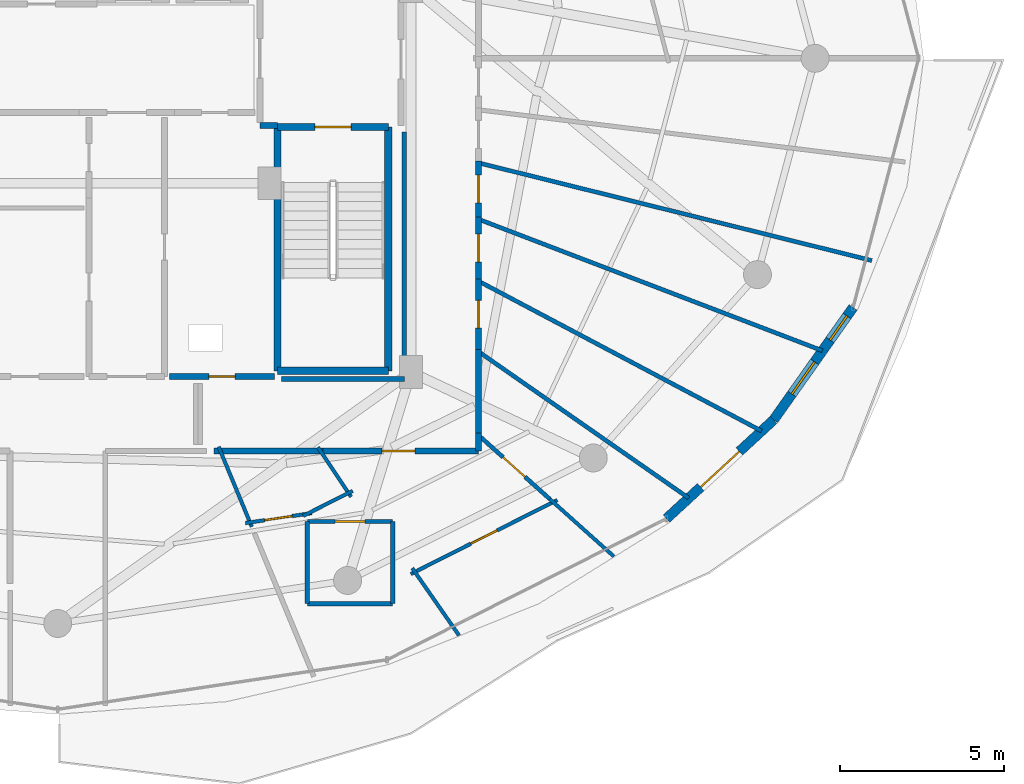
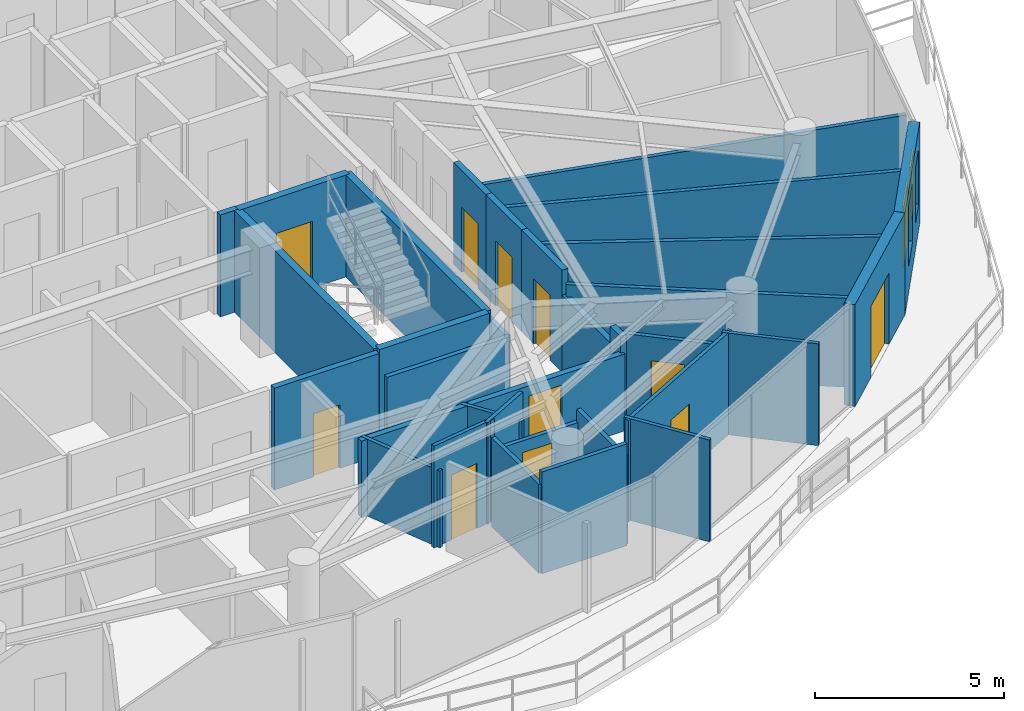
# One storey, part 24 of 30: 33 walls, 11 doors, 2 windows, 13 openings.
"""IFC4 building model written with IfcOpenShell, lengths in metres."""

from ifc_helpers import new_model, si_unit, direction, frame, frame_2d, origin, place, context, subcontext, project, spatial, rectangle, extrude, material, layer, layer_set, type_object, element, fill, save


model = new_model("IFC4")

# Units and contexts
model_context = context("Model", 3, precision=1e-05, world=origin(), true_north=direction((0.0, 1.0)))
body_context = subcontext(model_context, "Body", "Model", "MODEL_VIEW")
ifc_project = project(units=[si_unit("LENGTHUNIT", "METRE"), si_unit("AREAUNIT", "SQUARE_METRE"), si_unit("VOLUMEUNIT", "CUBIC_METRE"), si_unit("PLANEANGLEUNIT", "RADIAN"), si_unit("MASSUNIT", "GRAM", prefix="KILO")], contexts=[model_context])

# Site, building, storey
site_placement = place(None, origin())
site = spatial("IfcSite", under=ifc_project, at=site_placement, CompositionType="ELEMENT")
building_placement = place(site_placement, origin())
building = spatial("IfcBuilding", under=site, at=building_placement, Name="Vorneva Point Tower", CompositionType="ELEMENT")
storey_placement = place(building_placement, frame((0.0, 0.0, 262.64990234375)))
storey = spatial("IfcBuildingStorey", under=building, at=storey_placement, Name="L71", CompositionType="ELEMENT", Elevation=262.64990234375)

# Wall, opening, door
ifc_material_1 = material(Name="Precast concrete B50 (C40/50)", Category="concrete")
ifc_layer_1 = layer(ifc_material_1, 0.300048828125)
ifc_layer_set_1 = layer_set([ifc_layer_1], Name="Precast concrete B50 (C40/50)")
wall_type_1 = type_object("IfcWallType", Name="WL-EXT-300", PredefinedType="STANDARD", material=ifc_layer_set_1)
wall_1_placement = place(storey_placement, frame((56.526123046875, 11.9921875, 0.0), z_axis=(0.0, 0.0, 1.0), x_axis=(0.735445373611, 0.677584018727, 0.0)))
wall_1 = element("IfcWall", 1, at=wall_1_placement, inside=storey, type_object=wall_type_1, Name="L71 Pale-Metal Facade Spandrel Wall 15.1", PredefinedType="STANDARD", context=body_context, shape_type="SweptSolid", body=[
    extrude(rectangle(XDim=4.430419921875, YDim=0.300048828125, at=frame_2d((2.21533203125, 0.0))), origin(), (0.0, 0.0, 1.0), 3.2900390625),
])
opening_1_placement = place(wall_1_placement, frame((1.415283203125, 0.0, 0.0)))
opening_1 = element("IfcOpeningElement", 2, at=opening_1_placement, cuts=wall_1, Name="Opening BD-01", PredefinedType="OPENING", context=body_context, shape_type="SweptSolid", body=[
    extrude(rectangle(XDim=1.60009765625, YDim=2.300048828125, at=frame_2d((0.800048828125, 1.14990234375))), frame((0.0, 0.1650390625, 0.0), z_axis=(0.0, -1.0, 0.0), x_axis=(1.0, 0.0, 0.0)), (0.0, 0.0, 1.0), 0.329833984375),
])
ifc_material_2 = material(Name="Pale anodised aluminium", Category="aluminium")
door_type_1 = type_object("IfcDoorType", Name="DR-BAL-1600", OperationType="SLIDING_TO_LEFT", PredefinedType="DOOR", material=ifc_material_2)
door_1_placement = place(opening_1_placement, origin())
door_1 = element("IfcDoor", 3, at=door_1_placement, inside=storey, type_object=door_type_1, Name="L71 Balcony Terrace Access Door 15", OperationType="SLIDING_TO_LEFT", OverallHeight=2.300048828125, OverallWidth=1.60009765625, PredefinedType="DOOR", context=body_context, shape_type="SweptSolid", body=[
    extrude(rectangle(XDim=1.60009765625, YDim=2.300048828125, at=frame_2d((0.800048828125, 1.14990234375))), frame((0.0, 0.02490234375, 0.0), z_axis=(0.0, -1.0, 0.0), x_axis=(1.0, 0.0, 0.0)), (0.0, 0.0, 1.0), 0.050048828125),
])
fill(opening_1, door_1)

# Wall, openings, windows
wall_2_placement = place(storey_placement, frame((59.784423828125, 14.994140625, 0.0), z_axis=(0.0, 0.0, 1.0), x_axis=(0.577261247247, 0.816559521668, 0.0)))
wall_2 = element("IfcWall", 4, at=wall_2_placement, inside=storey, type_object=wall_type_1, Name="L71 Pale-Metal Facade Spandrel Wall 15.2", PredefinedType="STANDARD", context=body_context, shape_type="SweptSolid", body=[
    extrude(rectangle(XDim=4.194091796875, YDim=0.300048828125, at=frame_2d((2.09716796875, 0.0))), origin(), (0.0, 0.0, 1.0), 3.2900390625),
])
opening_2_placement = place(wall_2_placement, frame((0.966064453125, 0.0, 0.85009765625)))
opening_2 = element("IfcOpeningElement", 5, at=opening_2_placement, cuts=wall_2, Name="Opening W-04", PredefinedType="OPENING", context=body_context, shape_type="SweptSolid", body=[
    extrude(rectangle(XDim=1.199951171875, YDim=1.949951171875, at=frame_2d((0.60009765625, 0.97509765625))), frame((0.0, 0.1650390625, 0.0), z_axis=(0.0, -1.0, 0.0), x_axis=(1.0, 0.0, 0.0)), (0.0, 0.0, 1.0), 0.329833984375),
])
opening_3_placement = place(wall_2_placement, frame((2.976806640625, 0.0, 0.85009765625)))
opening_3 = element("IfcOpeningElement", 6, at=opening_3_placement, cuts=wall_2, Name="Opening W-08", PredefinedType="OPENING", context=body_context, shape_type="SweptSolid", body=[
    extrude(rectangle(XDim=0.89990234375, YDim=1.800048828125, at=frame_2d((0.449951171875, 0.89990234375))), frame((0.0, 0.1650390625, 0.0), z_axis=(0.0, -1.0, 0.0), x_axis=(1.0, 0.0, 0.0)), (0.0, 0.0, 1.0), 0.329833984375),
])
ifc_material_3 = material(Name="Double low-e laminated glass IGU", Category="glass")
window_type_1 = type_object("IfcWindowType", Name="WN-CAS-900", PartitioningType="SINGLE_PANEL", PredefinedType="WINDOW", material=ifc_material_3)
window_1_placement = place(opening_3_placement, origin())
window_1 = element("IfcWindow", 7, at=window_1_placement, inside=storey, type_object=window_type_1, Name="L71 Dwelling Vision Window 05", OverallHeight=1.800048828125, OverallWidth=0.89990234375, PartitioningType="SINGLE_PANEL", PredefinedType="WINDOW", context=body_context, shape_type="SweptSolid", body=[
    extrude(rectangle(XDim=0.89990234375, YDim=1.800048828125, at=frame_2d((0.449951171875, 0.89990234375))), frame((0.0, 0.030029296875, 0.0), z_axis=(0.0, -1.0, 0.0), x_axis=(1.0, 0.0, 0.0)), (0.0, 0.0, 1.0), 0.06005859375),
])
fill(opening_3, window_1)
window_type_2 = type_object("IfcWindowType", Name="WN-RES-1200", PartitioningType="SINGLE_PANEL", PredefinedType="WINDOW", material=ifc_material_3)
window_2_placement = place(opening_2_placement, origin())
window_2 = element("IfcWindow", 8, at=window_2_placement, inside=storey, type_object=window_type_2, Name="L71 Dwelling Vision Window 04", OverallHeight=1.949951171875, OverallWidth=1.199951171875, PartitioningType="SINGLE_PANEL", PredefinedType="WINDOW", context=body_context, shape_type="SweptSolid", body=[
    extrude(rectangle(XDim=1.199951171875, YDim=1.949951171875, at=frame_2d((0.60009765625, 0.97509765625))), frame((0.0, 0.030029296875, 0.0), z_axis=(0.0, -1.0, 0.0), x_axis=(1.0, 0.0, 0.0)), (0.0, 0.0, 1.0), 0.06005859375),
])
fill(opening_2, window_2)

# Walls
ifc_material_4 = material(Name="Fire-rated acoustic gypsum stud partition", Category="gypsum")
ifc_layer_2 = layer(ifc_material_4, 0.110107421875)
ifc_layer_set_2 = layer_set([ifc_layer_2], Name="Fire-rated acoustic gypsum stud partition")
wall_type_2 = type_object("IfcWallType", Name="WL-PART-110", PredefinedType="PARTITIONING", material=ifc_layer_set_2)
wall_3_placement = place(storey_placement, frame((45.918212890625, 14.16650390625, 0.0), z_axis=(0.0, 0.0, 1.0), x_axis=(0.555785343288, -0.831325839961, 0.0)))
element("IfcWall", 9, at=wall_3_placement, inside=storey, type_object=wall_type_2, Name="L71 Interior Partition 105", PredefinedType="PARTITIONING", context=body_context, shape_type="SweptSolid", body=[
    extrude(rectangle(XDim=1.81640625, YDim=0.110107421875, at=frame_2d((0.908203125, 0.0))), origin(), (0.0, 0.0, 1.0), 2.482177734375),
])
wall_4_placement = place(storey_placement, frame((46.97509765625, 12.836181640625, 0.0), z_axis=(0.0, 0.0, 1.0), x_axis=(-0.892715322691, -0.450621074332, 0.0)))
element("IfcWall", 10, at=wall_4_placement, inside=storey, type_object=wall_type_2, Name="L71 Interior Partition 106", PredefinedType="PARTITIONING", context=body_context, shape_type="SweptSolid", body=[
    extrude(rectangle(XDim=1.689208984375, YDim=0.110107421875, at=frame_2d((0.8447265625, 0.0))), origin(), (0.0, 0.0, 1.0), 3.2900390625),
])

# Wall, opening, door
wall_5_placement = place(storey_placement, frame((45.73046875, 12.15869140625, 0.0), z_axis=(0.0, 0.0, 1.0), x_axis=(-0.98887923552, -0.148720736812, 0.0)))
wall_5 = element("IfcWall", 11, at=wall_5_placement, inside=storey, type_object=wall_type_2, Name="L71 Interior Partition 107", PredefinedType="PARTITIONING", context=body_context, shape_type="SweptSolid", body=[
    extrude(rectangle(XDim=2.04052734375, YDim=0.110107421875, at=frame_2d((1.020263671875, 0.0))), origin(), (0.0, 0.0, 1.0), 3.2900390625),
])
opening_4_placement = place(wall_5_placement, frame((0.59521484375, 0.0, 0.0)))
opening_4 = element("IfcOpeningElement", 12, at=opening_4_placement, cuts=wall_5, Name="Opening ID-02", PredefinedType="OPENING", context=body_context, shape_type="SweptSolid", body=[
    extrude(rectangle(XDim=0.85009765625, YDim=2.10009765625, at=frame_2d((0.425048828125, 1.050048828125))), frame((0.0, 0.06982421875, 0.0), z_axis=(0.0, -1.0, 0.0), x_axis=(1.0, 0.0, 0.0)), (0.0, 0.0, 1.0), 0.139892578125),
])
ifc_material_5 = material(Name="Engineered oak fire-rated door leaf", Category="wood")
door_type_2 = type_object("IfcDoorType", Name="DR-BATH-850", OperationType="NOTDEFINED", PredefinedType="DOOR", material=ifc_material_5)
door_2_placement = place(opening_4_placement, origin())
door_2 = element("IfcDoor", 13, at=door_2_placement, inside=storey, type_object=door_type_2, Name="L71 Door Living and Dining Room L71-03 / Bathroom L71-03", OperationType="SINGLE_SWING_LEFT", OverallHeight=2.10009765625, OverallWidth=0.85009765625, PredefinedType="DOOR", context=body_context, shape_type="SweptSolid", body=[
    extrude(rectangle(XDim=0.85009765625, YDim=2.10009765625, at=frame_2d((0.425048828125, 1.050048828125))), frame((0.0, 0.02490234375, 0.0), z_axis=(0.0, -1.0, 0.0), x_axis=(1.0, 0.0, 0.0)), (0.0, 0.0, 1.0), 0.050048828125),
])
fill(opening_4, door_2)

# Wall
wall_6_placement = place(storey_placement, frame((43.904541015625, 11.74658203125, 0.0), z_axis=(0.0, 0.0, 1.0), x_axis=(-0.38282398209, 0.923821302383, 0.0)))
element("IfcWall", 14, at=wall_6_placement, inside=storey, type_object=wall_type_2, Name="L71 Interior Partition 108", PredefinedType="PARTITIONING", context=body_context, shape_type="SweptSolid", body=[
    extrude(rectangle(XDim=2.63330078125, YDim=0.110107421875, at=frame_2d((1.316650390625, 0.0))), origin(), (0.0, 0.0, 1.0), 2.482177734375),
])

# Wall, opening, door
wall_7_placement = place(storey_placement, frame((48.743896484375, 10.304931640625, 0.0), z_axis=(0.0, 0.0, 1.0), x_axis=(0.892523078089, 0.45100172403, 0.0)))
wall_7 = element("IfcWall", 15, at=wall_7_placement, inside=storey, type_object=wall_type_2, Name="L71 Interior Partition 109", PredefinedType="PARTITIONING", context=body_context, shape_type="SweptSolid", body=[
    extrude(rectangle(XDim=4.995849609375, YDim=0.110107421875, at=frame_2d((2.498046875, 0.0))), origin(), (0.0, 0.0, 1.0), 3.2900390625),
])
opening_5_placement = place(wall_7_placement, frame((2.048095703125, 0.0, 0.0)))
opening_5 = element("IfcOpeningElement", 16, at=opening_5_placement, cuts=wall_7, Name="Opening ID-01", PredefinedType="OPENING", context=body_context, shape_type="SweptSolid", body=[
    extrude(rectangle(XDim=0.89990234375, YDim=2.10009765625, at=frame_2d((0.449951171875, 1.050048828125))), frame((0.0, 0.06982421875, 0.0), z_axis=(0.0, -1.0, 0.0), x_axis=(1.0, 0.0, 0.0)), (0.0, 0.0, 1.0), 0.139892578125),
])
door_type_3 = type_object("IfcDoorType", Name="DR-ROOM-900", OperationType="NOTDEFINED", PredefinedType="DOOR", material=ifc_material_5)
door_3_placement = place(opening_5_placement, origin())
door_3 = element("IfcDoor", 17, at=door_3_placement, inside=storey, type_object=door_type_3, Name="L71 Door Living and Dining Room L71-03 / Kitchen L71-03", OperationType="SINGLE_SWING_RIGHT", OverallHeight=2.10009765625, OverallWidth=0.89990234375, PredefinedType="DOOR", context=body_context, shape_type="SweptSolid", body=[
    extrude(rectangle(XDim=0.89990234375, YDim=2.10009765625, at=frame_2d((0.449951171875, 1.050048828125))), frame((0.0, 0.02490234375, 0.0), z_axis=(0.0, -1.0, 0.0), x_axis=(1.0, 0.0, 0.0)), (0.0, 0.0, 1.0), 0.050048828125),
])
fill(opening_5, door_3)

# Walls
wall_8_placement = place(storey_placement, frame((52.9736328125, 12.58837890625, 0.0), z_axis=(0.0, 0.0, 1.0), x_axis=(0.744980199756, -0.667086577568, 0.0)))
element("IfcWall", 18, at=wall_8_placement, inside=storey, type_object=wall_type_2, Name="L71 Interior Partition 110", PredefinedType="PARTITIONING", context=body_context, shape_type="SweptSolid", body=[
    extrude(rectangle(XDim=2.6171875, YDim=0.110107421875, at=frame_2d((1.30859375, 0.0))), origin(), (0.0, 0.0, 1.0), 3.2900390625),
])
wall_9_placement = place(storey_placement, frame((50.212890625, 8.43603515625, 0.0), z_axis=(0.0, 0.0, 1.0), x_axis=(-0.571041537148, 0.820921167258, 0.0)))
element("IfcWall", 19, at=wall_9_placement, inside=storey, type_object=wall_type_2, Name="L71 Interior Partition 111", PredefinedType="PARTITIONING", context=body_context, shape_type="SweptSolid", body=[
    extrude(rectangle(XDim=2.493408203125, YDim=0.110107421875, at=frame_2d((1.24658203125, 0.0))), origin(), (0.0, 0.0, 1.0), 3.2900390625),
])

# Wall, opening, door
ifc_layer_3 = layer(ifc_material_4, 0.125)
ifc_layer_set_3 = layer_set([ifc_layer_3], Name="Fire-rated acoustic gypsum stud partition")
wall_type_3 = type_object("IfcWallType", Name="WL-PART-125", PredefinedType="PARTITIONING", material=ifc_layer_set_3)
wall_10_placement = place(storey_placement, frame((48.194091796875, 11.902099609375, 0.0), z_axis=(0.0, 0.0, 1.0), x_axis=(-1.0, 0.0, 0.0)))
wall_10 = element("IfcWall", 20, at=wall_10_placement, inside=storey, type_object=wall_type_3, Name="L71 Interior Partition 112", PredefinedType="PARTITIONING", context=body_context, shape_type="SweptSolid", body=[
    extrude(rectangle(XDim=2.60009765625, YDim=0.125, at=frame_2d((1.300048828125, 0.0))), origin(), (0.0, 0.0, 1.0), 2.482177734375),
])
opening_6_placement = place(wall_10_placement, frame((0.85009765625, 0.0, 0.0)))
opening_6 = element("IfcOpeningElement", 21, at=opening_6_placement, cuts=wall_10, Name="Opening ID-01", PredefinedType="OPENING", context=body_context, shape_type="SweptSolid", body=[
    extrude(rectangle(XDim=0.89990234375, YDim=2.10009765625, at=frame_2d((0.449951171875, 1.050048828125))), frame((0.0, 0.077392578125, 0.0), z_axis=(0.0, -1.0, 0.0), x_axis=(1.0, 0.0, 0.0)), (0.0, 0.0, 1.0), 0.15478515625),
])
door_4_placement = place(opening_6_placement, origin())
door_4 = element("IfcDoor", 22, at=door_4_placement, inside=storey, type_object=door_type_3, Name="L71 Door Living and Dining Room L71-03 / Study Room L71-03", OperationType="SINGLE_SWING_LEFT", OverallHeight=2.10009765625, OverallWidth=0.89990234375, PredefinedType="DOOR", context=body_context, shape_type="SweptSolid", body=[
    extrude(rectangle(XDim=0.89990234375, YDim=2.10009765625, at=frame_2d((0.449951171875, 1.050048828125))), frame((0.0, 0.02490234375, 0.0), z_axis=(0.0, -1.0, 0.0), x_axis=(1.0, 0.0, 0.0)), (0.0, 0.0, 1.0), 0.050048828125),
])
fill(opening_6, door_4)

# Walls
wall_11_placement = place(storey_placement, frame((45.593994140625, 11.902099609375, 0.0), z_axis=(0.0, 0.0, 1.0), x_axis=(0.0, -1.0, 0.0)))
element("IfcWall", 23, at=wall_11_placement, inside=storey, type_object=wall_type_3, Name="L71 Interior Partition 113", PredefinedType="PARTITIONING", context=body_context, shape_type="SweptSolid", body=[
    extrude(rectangle(XDim=2.5, YDim=0.125, at=frame_2d((1.25, 0.0))), origin(), (0.0, 0.0, 1.0), 2.8740234375),
])
wall_12_placement = place(storey_placement, frame((45.593994140625, 9.402099609375, 0.0), z_axis=(0.0, 0.0, 1.0), x_axis=(1.0, 0.0, 0.0)))
element("IfcWall", 24, at=wall_12_placement, inside=storey, type_object=wall_type_3, Name="L71 Interior Partition 114", PredefinedType="PARTITIONING", context=body_context, shape_type="SweptSolid", body=[
    extrude(rectangle(XDim=2.60009765625, YDim=0.125, at=frame_2d((1.300048828125, 0.0))), origin(), (0.0, 0.0, 1.0), 3.2900390625),
])
wall_13_placement = place(storey_placement, frame((48.194091796875, 9.402099609375, 0.0), z_axis=(0.0, 0.0, 1.0), x_axis=(0.0, 1.0, 0.0)))
element("IfcWall", 25, at=wall_13_placement, inside=storey, type_object=wall_type_3, Name="L71 Interior Partition 115", PredefinedType="PARTITIONING", context=body_context, shape_type="SweptSolid", body=[
    extrude(rectangle(XDim=2.5, YDim=0.125, at=frame_2d((1.25, 0.0))), origin(), (0.0, 0.0, 1.0), 2.8740234375),
])

# Wall, opening, door
wall_14_placement = place(storey_placement, frame((52.9736328125, 12.58837890625, 0.0), z_axis=(0.0, 0.0, 1.0), x_axis=(-0.744943619707, 0.667127426702, 0.0)))
wall_14 = element("IfcWall", 26, at=wall_14_placement, inside=storey, type_object=wall_type_3, Name="L71 Interior Partition 116", PredefinedType="PARTITIONING", context=body_context, shape_type="SweptSolid", body=[
    extrude(rectangle(XDim=2.917724609375, YDim=0.125, at=frame_2d((1.458984375, 0.0))), origin(), (0.0, 0.0, 1.0), 2.8740234375),
])
opening_7_placement = place(wall_14_placement, frame((1.009033203125, 0.0, 0.0)))
opening_7 = element("IfcOpeningElement", 27, at=opening_7_placement, cuts=wall_14, Name="Opening ID-01", PredefinedType="OPENING", context=body_context, shape_type="SweptSolid", body=[
    extrude(rectangle(XDim=0.89990234375, YDim=2.10009765625, at=frame_2d((0.449951171875, 1.050048828125))), frame((0.0, 0.077392578125, 0.0), z_axis=(0.0, -1.0, 0.0), x_axis=(1.0, 0.0, 0.0)), (0.0, 0.0, 1.0), 0.15478515625),
])
door_5_placement = place(opening_7_placement, origin())
door_5 = element("IfcDoor", 28, at=door_5_placement, inside=storey, type_object=door_type_3, Name="L71 Door Living and Dining Room L71-03 / Master Bedroom L71-03.1", OperationType="SINGLE_SWING_RIGHT", OverallHeight=2.10009765625, OverallWidth=0.89990234375, PredefinedType="DOOR", context=body_context, shape_type="SweptSolid", body=[
    extrude(rectangle(XDim=0.89990234375, YDim=2.10009765625, at=frame_2d((0.449951171875, 1.050048828125))), frame((0.0, 0.02490234375, 0.0), z_axis=(0.0, -1.0, 0.0), x_axis=(1.0, 0.0, 0.0)), (0.0, 0.0, 1.0), 0.050048828125),
])
fill(opening_7, door_5)

# Walls
wall_15_placement = place(storey_placement, frame((57.202880859375, 12.616943359375, 0.0), z_axis=(0.0, 0.0, 1.0), x_axis=(-0.820423513177, 0.571756293386, 0.0)))
element("IfcWall", 29, at=wall_15_placement, inside=storey, type_object=wall_type_3, Name="L71 Interior Partition 117", PredefinedType="PARTITIONING", context=body_context, shape_type="SweptSolid", body=[
    extrude(rectangle(XDim=7.80419921875, YDim=0.125, at=frame_2d((3.902099609375, 0.0))), origin(), (0.0, 0.0, 1.0), 2.8740234375),
])
wall_16_placement = place(storey_placement, frame((59.4169921875, 14.659912109375, 0.0), z_axis=(0.0, 0.0, 1.0), x_axis=(-0.883742233358, 0.467974000325, 0.0)))
element("IfcWall", 30, at=wall_16_placement, inside=storey, type_object=wall_type_3, Name="L71 Interior Partition 118", PredefinedType="PARTITIONING", context=body_context, shape_type="SweptSolid", body=[
    extrude(rectangle(XDim=9.75048828125, YDim=0.125, at=frame_2d((4.875244140625, 0.0))), origin(), (0.0, 0.0, 1.0), 2.8740234375),
])
wall_17_placement = place(storey_placement, frame((61.27099609375, 17.10205078125, 0.0), z_axis=(0.0, 0.0, 1.0), x_axis=(-0.934042646632, 0.357161496066, 0.0)))
element("IfcWall", 31, at=wall_17_placement, inside=storey, type_object=wall_type_3, Name="L71 Interior Partition 119", PredefinedType="PARTITIONING", context=body_context, shape_type="SweptSolid", body=[
    extrude(rectangle(XDim=11.21044921875, YDim=0.125, at=frame_2d((5.605224609375, 0.0))), origin(), (0.0, 0.0, 1.0), 2.8740234375),
])
wall_18_placement = place(storey_placement, frame((62.77587890625, 19.845947265625, 0.0), z_axis=(0.0, 0.0, 1.0), x_axis=(-0.970519565335, 0.241022350211, 0.0)))
element("IfcWall", 32, at=wall_18_placement, inside=storey, type_object=wall_type_3, Name="L71 Interior Partition 120", PredefinedType="PARTITIONING", context=body_context, shape_type="SweptSolid", body=[
    extrude(rectangle(XDim=12.339599609375, YDim=0.125, at=frame_2d((6.169921875, 0.0))), origin(), (0.0, 0.0, 1.0), 2.482177734375),
])
ifc_layer_4 = layer(ifc_material_4, 0.139892578125)
ifc_layer_set_4 = layer_set([ifc_layer_4], Name="Fire-rated acoustic gypsum stud partition")
wall_type_4 = type_object("IfcWallType", Name="WL-PART-140", PredefinedType="PARTITIONING", material=ifc_layer_set_4)
wall_19_placement = place(storey_placement, frame((44.804931640625, 16.239990234375, 0.0), z_axis=(0.0, 0.0, 1.0), x_axis=(1.0, 0.0, 0.0)))
element("IfcWall", 33, at=wall_19_placement, inside=storey, type_object=wall_type_4, Name="L71 Interior Closure Partition 158", PredefinedType="PARTITIONING", context=body_context, shape_type="SweptSolid", body=[
    extrude(rectangle(XDim=3.7451171875, YDim=0.139892578125, at=frame_2d((1.87255859375, 0.0))), origin(), (0.0, 0.0, 1.0), 2.482177734375),
])
wall_20_placement = place(storey_placement, frame((48.550048828125, 16.239990234375, 0.0), z_axis=(0.0, 0.0, 1.0), x_axis=(0.0, 1.0, 0.0)))
element("IfcWall", 34, at=wall_20_placement, inside=storey, type_object=wall_type_4, Name="L71 Interior Closure Partition 159", PredefinedType="PARTITIONING", context=body_context, shape_type="SweptSolid", body=[
    extrude(rectangle(XDim=7.513916015625, YDim=0.139892578125, at=frame_2d((3.7568359375, 0.0))), origin(), (0.0, 0.0, 1.0), 2.482177734375),
])
ifc_material_6 = material(Name="Autoclaved aerated concrete blockwork", Category="masonry")
ifc_layer_5 = layer(ifc_material_6, 0.179931640625)
ifc_layer_set_5 = layer_set([ifc_layer_5], Name="Autoclaved aerated concrete blockwork")
wall_type_5 = type_object("IfcWallType", Name="WL-PART-180", PredefinedType="PARTITIONING", material=ifc_layer_set_5)
wall_21_placement = place(storey_placement, frame((44.14990234375, 23.949951171875, 0.0), z_axis=(0.0, 0.0, 1.0), x_axis=(1.0, 0.0, 0.0)))
element("IfcWall", 35, at=wall_21_placement, inside=storey, type_object=wall_type_5, Name="L71 Interior Partition 004", PredefinedType="PARTITIONING", context=body_context, shape_type="SweptSolid", body=[
    extrude(rectangle(XDim=0.5400390625, YDim=0.179931640625, at=frame_2d((0.27001953125, 0.0))), origin(), (0.0, 0.0, 1.0), 3.2900390625),
])

# Wall, opening, door
wall_22_placement = place(storey_placement, frame((41.39990234375, 16.320068359375, 0.0), z_axis=(0.0, 0.0, 1.0), x_axis=(1.0, 0.0, 0.0)))
wall_22 = element("IfcWall", 36, at=wall_22_placement, inside=storey, type_object=wall_type_5, Name="L71 Interior Partition 019", PredefinedType="PARTITIONING", context=body_context, shape_type="SweptSolid", body=[
    extrude(rectangle(XDim=3.2001953125, YDim=0.179931640625, at=frame_2d((1.60009765625, 0.0))), origin(), (0.0, 0.0, 1.0), 3.2900390625),
])
opening_8_placement = place(wall_22_placement, frame((1.199951171875, 0.0, 0.0)))
opening_8 = element("IfcOpeningElement", 37, at=opening_8_placement, cuts=wall_22, Name="Opening RD-01", PredefinedType="OPENING", context=body_context, shape_type="SweptSolid", body=[
    extrude(rectangle(XDim=0.800048828125, YDim=2.050048828125, at=frame_2d((0.39990234375, 1.02490234375))), frame((0.0, 0.10498046875, 0.0), z_axis=(0.0, -1.0, 0.0), x_axis=(1.0, 0.0, 0.0)), (0.0, 0.0, 1.0), 0.209716796875),
])
ifc_material_7 = material(Name="Fire-rated powder-coated steel", Category="steel")
door_type_4 = type_object("IfcDoorType", Name="DR-RSR-800", OperationType="SINGLE_SWING_LEFT", PredefinedType="DOOR", material=ifc_material_7)
door_6_placement = place(opening_8_placement, origin())
door_6 = element("IfcDoor", 38, at=door_6_placement, inside=storey, type_object=door_type_4, Name="L71 Door Electrical Riser / L71 Circulation Corridor", OperationType="SINGLE_SWING_LEFT", OverallHeight=2.050048828125, OverallWidth=0.800048828125, PredefinedType="DOOR", context=body_context, shape_type="SweptSolid", body=[
    extrude(rectangle(XDim=0.800048828125, YDim=2.050048828125, at=frame_2d((0.39990234375, 1.02490234375))), frame((0.0, 0.02490234375, 0.0), z_axis=(0.0, -1.0, 0.0), x_axis=(1.0, 0.0, 0.0)), (0.0, 0.0, 1.0), 0.050048828125),
])
fill(opening_8, door_6)

wall_23_placement = place(storey_placement, frame((45.93603515625, 14.050048828125, 0.0), z_axis=(0.0, 0.0, 1.0), x_axis=(1.0, 0.0, 0.0)))
wall_23 = element("IfcWall", 39, at=wall_23_placement, inside=storey, type_object=wall_type_5, Name="L71 Interior Partition 046", PredefinedType="PARTITIONING", context=body_context, shape_type="SweptSolid", body=[
    extrude(rectangle(XDim=4.864013671875, YDim=0.179931640625, at=frame_2d((2.43212890625, 0.0))), origin(), (0.0, 0.0, 1.0), 2.482177734375),
])
opening_9_placement = place(wall_23_placement, frame((1.931884765625, 0.0, 0.0)))
opening_9 = element("IfcOpeningElement", 40, at=opening_9_placement, cuts=wall_23, Name="Opening UD-01", PredefinedType="OPENING", context=body_context, shape_type="SweptSolid", body=[
    extrude(rectangle(XDim=1.0, YDim=2.14990234375, at=frame_2d((0.5, 1.074951171875))), frame((0.0, 0.10498046875, 0.0), z_axis=(0.0, -1.0, 0.0), x_axis=(1.0, 0.0, 0.0)), (0.0, 0.0, 1.0), 0.209716796875),
])
door_type_5 = type_object("IfcDoorType", Name="DR-UNIT-1000", OperationType="NOTDEFINED", PredefinedType="DOOR", material=ifc_material_5)
door_7_placement = place(opening_9_placement, origin())
door_7 = element("IfcDoor", 41, at=door_7_placement, inside=storey, type_object=door_type_5, Name="L71 Door L71 Circulation Corridor / Living and Dining Room L71-03", OperationType="SINGLE_SWING_LEFT", OverallHeight=2.14990234375, OverallWidth=1.0, PredefinedType="DOOR", context=body_context, shape_type="SweptSolid", body=[
    extrude(rectangle(XDim=1.0, YDim=2.14990234375, at=frame_2d((0.5, 1.074951171875))), frame((0.0, 0.02490234375, 0.0), z_axis=(0.0, -1.0, 0.0), x_axis=(1.0, 0.0, 0.0)), (0.0, 0.0, 1.0), 0.050048828125),
])
fill(opening_9, door_7)

# Walls
wall_24_placement = place(storey_placement, frame((50.800048828125, 14.050048828125, 0.0), z_axis=(0.0, 0.0, 1.0), x_axis=(0.0, 1.0, 0.0)))
element("IfcWall", 42, at=wall_24_placement, inside=storey, type_object=wall_type_5, Name="L71 Interior Partition 047", PredefinedType="PARTITIONING", context=body_context, shape_type="SweptSolid", body=[
    extrude(rectangle(XDim=0.544921875, YDim=0.179931640625, at=frame_2d((0.2724609375, 0.0))), origin(), (0.0, 0.0, 1.0), 3.022216796875),
])
wall_25_placement = place(storey_placement, frame((42.75, 14.050048828125, 0.0), z_axis=(0.0, 0.0, 1.0), x_axis=(1.0, 0.0, 0.0)))
element("IfcWall", 43, at=wall_25_placement, inside=storey, type_object=wall_type_5, Name="L71 Interior Partition 048", PredefinedType="PARTITIONING", context=body_context, shape_type="SweptSolid", body=[
    extrude(rectangle(XDim=3.325927734375, YDim=0.179931640625, at=frame_2d((1.6630859375, 0.0))), origin(), (0.0, 0.0, 1.0), 2.482177734375),
])
wall_26_placement = place(storey_placement, frame((50.800048828125, 14.594970703125, 0.0), z_axis=(0.0, 0.0, 1.0), x_axis=(0.0, 1.0, 0.0)))
element("IfcWall", 44, at=wall_26_placement, inside=storey, type_object=wall_type_5, Name="L71 Interior Partition 049", PredefinedType="PARTITIONING", context=body_context, shape_type="SweptSolid", body=[
    extrude(rectangle(XDim=2.5439453125, YDim=0.179931640625, at=frame_2d((1.27197265625, 0.0))), origin(), (0.0, 0.0, 1.0), 2.482177734375),
])

# Wall, opening, door
wall_27_placement = place(storey_placement, frame((50.800048828125, 17.138916015625, 0.0), z_axis=(0.0, 0.0, 1.0), x_axis=(0.0, 1.0, 0.0)))
wall_27 = element("IfcWall", 45, at=wall_27_placement, inside=storey, type_object=wall_type_5, Name="L71 Interior Partition 050", PredefinedType="PARTITIONING", context=body_context, shape_type="SweptSolid", body=[
    extrude(rectangle(XDim=2.14404296875, YDim=0.179931640625, at=frame_2d((1.072021484375, 0.0))), origin(), (0.0, 0.0, 1.0), 3.2900390625),
])
opening_10_placement = place(wall_27_placement, frame((0.64697265625, 0.0, 0.0)))
opening_10 = element("IfcOpeningElement", 46, at=opening_10_placement, cuts=wall_27, Name="Opening ID-02", PredefinedType="OPENING", context=body_context, shape_type="SweptSolid", body=[
    extrude(rectangle(XDim=0.85009765625, YDim=2.10009765625, at=frame_2d((0.425048828125, 1.050048828125))), frame((0.0, 0.10498046875, 0.0), z_axis=(0.0, -1.0, 0.0), x_axis=(1.0, 0.0, 0.0)), (0.0, 0.0, 1.0), 0.209716796875),
])
door_8_placement = place(opening_10_placement, origin())
door_8 = element("IfcDoor", 47, at=door_8_placement, inside=storey, type_object=door_type_2, Name="L71 Access Door L71 Circulation Corridor", OperationType="SINGLE_SWING_LEFT", OverallHeight=2.10009765625, OverallWidth=0.85009765625, PredefinedType="DOOR", context=body_context, shape_type="SweptSolid", body=[
    extrude(rectangle(XDim=0.85009765625, YDim=2.10009765625, at=frame_2d((0.425048828125, 1.050048828125))), frame((0.0, 0.02490234375, 0.0), z_axis=(0.0, -1.0, 0.0), x_axis=(1.0, 0.0, 0.0)), (0.0, 0.0, 1.0), 0.050048828125),
])
fill(opening_10, door_8)

wall_28_placement = place(storey_placement, frame((50.800048828125, 19.282958984375, 0.0), z_axis=(0.0, 0.0, 1.0), x_axis=(0.0, 1.0, 0.0)))
wall_28 = element("IfcWall", 48, at=wall_28_placement, inside=storey, type_object=wall_type_5, Name="L71 Interior Partition 051", PredefinedType="PARTITIONING", context=body_context, shape_type="SweptSolid", body=[
    extrude(rectangle(XDim=1.883056640625, YDim=0.179931640625, at=frame_2d((0.94140625, 0.0))), origin(), (0.0, 0.0, 1.0), 3.2900390625),
])
opening_11_placement = place(wall_28_placement, frame((0.5166015625, 0.0, 0.0)))
opening_11 = element("IfcOpeningElement", 49, at=opening_11_placement, cuts=wall_28, Name="Opening ID-02", PredefinedType="OPENING", context=body_context, shape_type="SweptSolid", body=[
    extrude(rectangle(XDim=0.85009765625, YDim=2.10009765625, at=frame_2d((0.425048828125, 1.050048828125))), frame((0.0, 0.10498046875, 0.0), z_axis=(0.0, -1.0, 0.0), x_axis=(1.0, 0.0, 0.0)), (0.0, 0.0, 1.0), 0.209716796875),
])
door_9_placement = place(opening_11_placement, origin())
door_9 = element("IfcDoor", 50, at=door_9_placement, inside=storey, type_object=door_type_2, Name="L71 Access Door L71 Circulation Corridor", OperationType="SINGLE_SWING_RIGHT", OverallHeight=2.10009765625, OverallWidth=0.85009765625, PredefinedType="DOOR", context=body_context, shape_type="SweptSolid", body=[
    extrude(rectangle(XDim=0.85009765625, YDim=2.10009765625, at=frame_2d((0.425048828125, 1.050048828125))), frame((0.0, 0.02490234375, 0.0), z_axis=(0.0, -1.0, 0.0), x_axis=(1.0, 0.0, 0.0)), (0.0, 0.0, 1.0), 0.050048828125),
])
fill(opening_11, door_9)

wall_29_placement = place(storey_placement, frame((50.800048828125, 21.166015625, 0.0), z_axis=(0.0, 0.0, 1.0), x_axis=(0.0, 1.0, 0.0)))
wall_29 = element("IfcWall", 51, at=wall_29_placement, inside=storey, type_object=wall_type_5, Name="L71 Interior Partition 052", PredefinedType="PARTITIONING", context=body_context, shape_type="SweptSolid", body=[
    extrude(rectangle(XDim=1.7138671875, YDim=0.179931640625, at=frame_2d((0.85693359375, 0.0))), origin(), (0.0, 0.0, 1.0), 3.2900390625),
])
opening_12_placement = place(wall_29_placement, frame((0.431884765625, 0.0, 0.0)))
opening_12 = element("IfcOpeningElement", 52, at=opening_12_placement, cuts=wall_29, Name="Opening ID-02", PredefinedType="OPENING", context=body_context, shape_type="SweptSolid", body=[
    extrude(rectangle(XDim=0.85009765625, YDim=2.10009765625, at=frame_2d((0.425048828125, 1.050048828125))), frame((0.0, 0.10498046875, 0.0), z_axis=(0.0, -1.0, 0.0), x_axis=(1.0, 0.0, 0.0)), (0.0, 0.0, 1.0), 0.209716796875),
])
door_10_placement = place(opening_12_placement, origin())
door_10 = element("IfcDoor", 53, at=door_10_placement, inside=storey, type_object=door_type_2, Name="L71 Access Door L71 Circulation Corridor", OperationType="SINGLE_SWING_LEFT", OverallHeight=2.10009765625, OverallWidth=0.85009765625, PredefinedType="DOOR", context=body_context, shape_type="SweptSolid", body=[
    extrude(rectangle(XDim=0.85009765625, YDim=2.10009765625, at=frame_2d((0.425048828125, 1.050048828125))), frame((0.0, 0.02490234375, 0.0), z_axis=(0.0, -1.0, 0.0), x_axis=(1.0, 0.0, 0.0)), (0.0, 0.0, 1.0), 0.050048828125),
])
fill(opening_12, door_10)

ifc_material_8 = material(Name="Concrete B50 (C40/50)", Category="concrete")
ifc_layer_6 = layer(ifc_material_8, 0.219970703125)
ifc_layer_set_6 = layer_set([ifc_layer_6], Name="Concrete B50 (C40/50)")
wall_type_6 = type_object("IfcWallType", Name="WL-SHFT-220", PredefinedType="SOLIDWALL", material=ifc_layer_set_6)
wall_30_placement = place(storey_placement, frame((44.68994140625, 23.909912109375, 0.0), z_axis=(0.0, 0.0, 1.0), x_axis=(1.0, 0.0, 0.0)))
wall_30 = element("IfcWall", 54, at=wall_30_placement, inside=storey, type_object=wall_type_6, Name="L71 Exit Stair ST2 Shaft Wall near", PredefinedType="SOLIDWALL", context=body_context, shape_type="SweptSolid", body=[
    extrude(rectangle(XDim=3.3701171875, YDim=0.219970703125, at=frame_2d((1.68505859375, 0.0))), origin(), (0.0, 0.0, 1.0), 3.2900390625),
])
opening_13_placement = place(wall_30_placement, frame((1.135009765625, 0.0, 0.0)))
opening_13 = element("IfcOpeningElement", 55, at=opening_13_placement, cuts=wall_30, Name="Opening FD-01", PredefinedType="OPENING", context=body_context, shape_type="SweptSolid", body=[
    extrude(rectangle(XDim=1.10009765625, YDim=2.14990234375, at=frame_2d((0.550048828125, 1.074951171875))), frame((0.0, 0.125, 0.0), z_axis=(0.0, -1.0, 0.0), x_axis=(1.0, 0.0, 0.0)), (0.0, 0.0, 1.0), 0.249755859375),
])
door_type_6 = type_object("IfcDoorType", Name="DR-STAIR-1100", OperationType="NOTDEFINED", PredefinedType="DOOR", material=ifc_material_7)
door_11_placement = place(opening_13_placement, origin())
door_11 = element("IfcDoor", 56, at=door_11_placement, inside=storey, type_object=door_type_6, Name="L71 Exit Stair ST2 Fire Door", OperationType="SINGLE_SWING_RIGHT", OverallHeight=2.14990234375, OverallWidth=1.10009765625, PredefinedType="DOOR", context=body_context, shape_type="SweptSolid", body=[
    extrude(rectangle(XDim=1.10009765625, YDim=2.14990234375, at=frame_2d((0.550048828125, 1.074951171875))), frame((0.0, 0.02490234375, 0.0), z_axis=(0.0, -1.0, 0.0), x_axis=(1.0, 0.0, 0.0)), (0.0, 0.0, 1.0), 0.050048828125),
])
fill(opening_13, door_11)

# Walls
wall_31_placement = place(storey_placement, frame((48.06005859375, 23.909912109375, 0.0), z_axis=(0.0, 0.0, 1.0), x_axis=(0.0, -1.0, 0.0)))
element("IfcWall", 57, at=wall_31_placement, inside=storey, type_object=wall_type_6, Name="L71 Exit Stair ST2 Shaft Wall right", PredefinedType="SOLIDWALL", context=body_context, shape_type="SweptSolid", body=[
    extrude(rectangle(XDim=7.419921875, YDim=0.219970703125, at=frame_2d((3.7099609375, 0.0))), origin(), (0.0, 0.0, 1.0), 3.2900390625),
])
wall_32_placement = place(storey_placement, frame((48.06005859375, 16.489990234375, 0.0), z_axis=(0.0, 0.0, 1.0), x_axis=(-1.0, 0.0, 0.0)))
element("IfcWall", 58, at=wall_32_placement, inside=storey, type_object=wall_type_6, Name="L71 Exit Stair ST2 Shaft Wall far", PredefinedType="SOLIDWALL", context=body_context, shape_type="SweptSolid", body=[
    extrude(rectangle(XDim=3.3701171875, YDim=0.219970703125, at=frame_2d((1.68505859375, 0.0))), origin(), (0.0, 0.0, 1.0), 3.2900390625),
])
wall_33_placement = place(storey_placement, frame((44.68994140625, 16.489990234375, 0.0), z_axis=(0.0, 0.0, 1.0), x_axis=(0.0, 1.0, 0.0)))
element("IfcWall", 59, at=wall_33_placement, inside=storey, type_object=wall_type_6, Name="L71 Exit Stair ST2 Shaft Wall left", PredefinedType="SOLIDWALL", context=body_context, shape_type="SweptSolid", body=[
    extrude(rectangle(XDim=7.419921875, YDim=0.219970703125, at=frame_2d((3.7099609375, 0.0))), origin(), (0.0, 0.0, 1.0), 3.2900390625),
])

save(model, "model.ifc")
